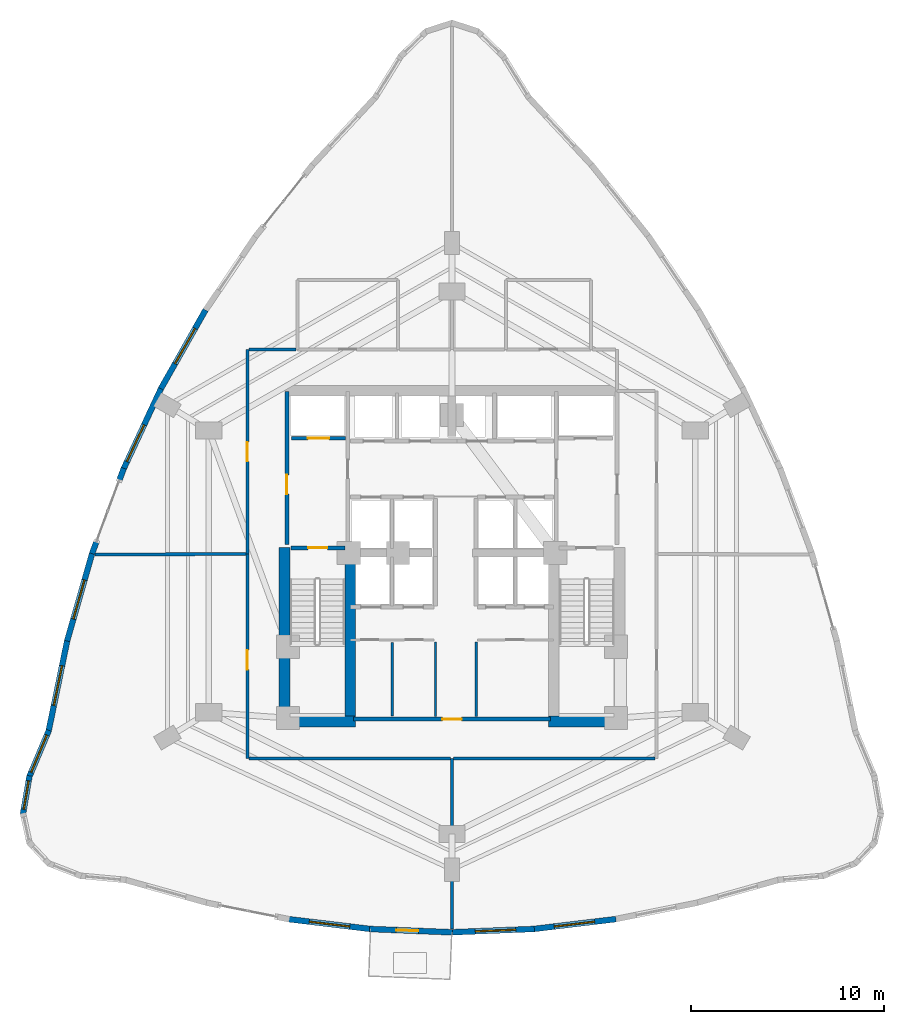
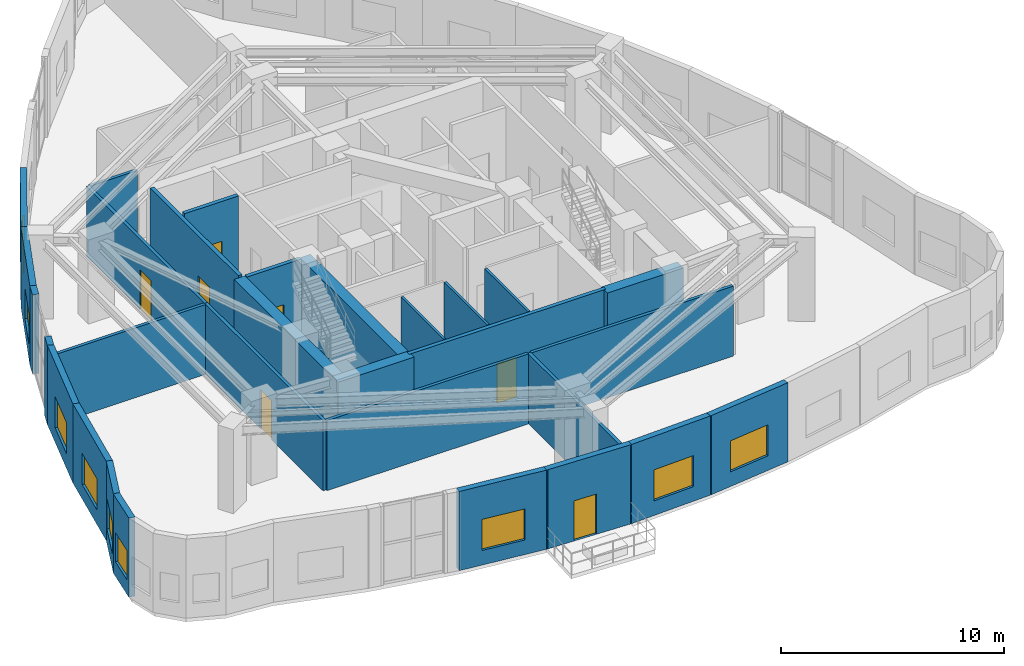
# One storey, part 13 of 17: 30 walls, 9 windows, 7 doors, 16 openings.
"""IFC4 building model written with IfcOpenShell, lengths in metres."""

from ifc_helpers import new_model, si_unit, direction, frame, frame_2d, origin, place, context, subcontext, project, spatial, rectangle, extrude, material, layer, layer_set, type_object, element, fill, save


model = new_model("IFC4")

# Units and contexts
model_context = context("Model", 3, precision=1e-05, world=origin(), true_north=direction((0.0, 1.0)))
body_context = subcontext(model_context, "Body", "Model", "MODEL_VIEW")
ifc_project = project(units=[si_unit("LENGTHUNIT", "METRE"), si_unit("AREAUNIT", "SQUARE_METRE"), si_unit("VOLUMEUNIT", "CUBIC_METRE"), si_unit("PLANEANGLEUNIT", "RADIAN"), si_unit("MASSUNIT", "GRAM", prefix="KILO")], contexts=[model_context])

# Site, building, storey
site_placement = place(None, origin())
site = spatial("IfcSite", under=ifc_project, at=site_placement, CompositionType="ELEMENT")
building_placement = place(site_placement, origin())
building = spatial("IfcBuilding", under=site, at=building_placement, Name="Miruveldt Soraemaru", CompositionType="ELEMENT")
storey_placement = place(building_placement, frame((0.0, 0.0, 95.800048828125)))
storey = spatial("IfcBuildingStorey", under=building, at=storey_placement, Name="L26", CompositionType="ELEMENT", Elevation=95.800048828125)

# Walls
ifc_material_1 = material(Name="Concrete C70/85 (70 MPa)", Category="concrete")
ifc_layer_1 = layer(ifc_material_1, 0.550048828125, Name="Concrete C70/85 (70 MPa)", Category="concrete")
ifc_layer_set_1 = layer_set([ifc_layer_1], Name="Concrete C70/85 (70 MPa)")
wall_type_1 = type_object("IfcWallType", Name="WALL-CW-550", PredefinedType="SHEAR", material=ifc_layer_set_1)
for number, where, z_axis, x_axis, name in (
    (1, (35.050048828125, 35.324951171875, 0.0), (0.0, 0.0, 1.0), (1.0, 0.0, 0.0), "L26 Central Core Shear Wall S1"),
    (2, (49.0, 35.324951171875, 0.0), (0.0, 0.0, 1.0), (1.0, 0.0, 0.0), "L26 Central Core Shear Wall S2"),
):
    element("IfcWall", number, at=place(storey_placement, frame(where, z_axis=z_axis, x_axis=x_axis)), inside=storey, type_object=wall_type_1, Name=name, PredefinedType="SHEAR", context=body_context, shape_type="SweptSolid", body=[
        extrude(rectangle(XDim=3.949951171875, YDim=0.550048828125, at=frame_2d((1.97509765625, 0.0))), origin(), (0.0, 0.0, 1.0), 4.3349609375),
    ])
wall_1_placement = place(storey_placement, frame((35.324951171875, 35.050048828125, 0.0), z_axis=(0.0, 0.0, 1.0), x_axis=(0.0, 1.0, 0.0)))
element("IfcWall", 3, at=wall_1_placement, inside=storey, type_object=wall_type_1, Name="L26 Central Core Shear Wall W1", PredefinedType="SHEAR", context=body_context, shape_type="SweptSolid", body=[
    extrude(rectangle(XDim=9.300048828125, YDim=0.550048828125, at=frame_2d((4.64990234375, 0.0))), origin(), (0.0, 0.0, 1.0), 4.3349609375),
])
wall_2_placement = place(storey_placement, frame((38.72509765625, 35.39990234375, 0.0), z_axis=(0.0, 0.0, 1.0), x_axis=(0.0, 1.0, 0.0)))
element("IfcWall", 4, at=wall_2_placement, inside=storey, type_object=wall_type_1, Name="L26 Central Core Shear Wall SW-INT", PredefinedType="SHEAR", context=body_context, shape_type="SweptSolid", body=[
    extrude(rectangle(XDim=8.9501953125, YDim=0.550048828125, at=frame_2d((4.47509765625, 0.0))), origin(), (0.0, 0.0, 1.0), 4.3349609375),
])

# Wall, opening, window
ifc_material_2 = material(Name="Precast concrete C45/55 (45 MPa)", Category="concrete")
ifc_layer_2 = layer(ifc_material_2, 0.300048828125, Name="Precast concrete C45/55 (45 MPa)", Category="concrete")
ifc_layer_set_2 = layer_set([ifc_layer_2], Name="Precast concrete C45/55 (45 MPa)")
wall_type_2 = type_object("IfcWallType", Name="WALL-EXT-PC300", PredefinedType="SOLIDWALL", material=ifc_layer_set_2)
wall_3_placement = place(storey_placement, frame((31.23291015625, 56.6435546875, 0.0), z_axis=(0.0, 0.0, 1.0), x_axis=(-0.493405379401, -0.869799477798, 0.0)))
wall_3 = element("IfcWall", 5, at=wall_3_placement, inside=storey, type_object=wall_type_2, Name="L26 Precast Concrete Facade Wall 10", PredefinedType="SOLIDWALL", context=body_context, shape_type="SweptSolid", body=[
    extrude(rectangle(XDim=4.688232421875, YDim=0.300048828125, at=frame_2d((2.34423828125, 0.0))), origin(), (0.0, 0.0, 1.0), 4.3349609375),
])
opening_1_placement = place(wall_3_placement, frame((1.09912109375, 0.0, 0.800048828125)))
opening_1 = element("IfcOpeningElement", 6, at=opening_1_placement, cuts=wall_3, Name="Opening WN-1", PredefinedType="OPENING", context=body_context, shape_type="SweptSolid", body=[
    extrude(rectangle(XDim=2.10009765625, YDim=1.699951171875, at=frame_2d((1.050048828125, 0.85009765625))), frame((0.0, 0.16015625, 0.0), z_axis=(0.0, -1.0, 0.0), x_axis=(1.0, 0.0, 0.0)), (0.0, 0.0, 1.0), 0.320068359375),
])
ifc_material_3 = material(Name="Triple low-e insulated glazing", Category="glass")
window_type_1 = type_object("IfcWindowType", Name="WIN-PUNCH-2100x1700", PartitioningType="SINGLE_PANEL", PredefinedType="WINDOW", material=ifc_material_3)
window_1_placement = place(opening_1_placement, origin())
window_1 = element("IfcWindow", 7, at=window_1_placement, inside=storey, type_object=window_type_1, Name="L26 Punched Triple-Glazed Window 10.1", OverallHeight=1.699951171875, OverallWidth=2.10009765625, PartitioningType="SINGLE_PANEL", PredefinedType="WINDOW", context=body_context, shape_type="SweptSolid", body=[
    extrude(rectangle(XDim=2.10009765625, YDim=1.699951171875, at=frame_2d((1.050048828125, 0.85009765625))), frame((0.0, 0.030029296875, 0.0), z_axis=(0.0, -1.0, 0.0), x_axis=(1.0, 0.0, 0.0)), (0.0, 0.0, 1.0), 0.06005859375),
])
fill(opening_1, window_1)

wall_4_placement = place(storey_placement, frame((28.951904296875, 52.627685546875, 0.0), z_axis=(0.0, 0.0, 1.0), x_axis=(-0.422360867557, -0.906427767423, 0.0)))
wall_4 = element("IfcWall", 8, at=wall_4_placement, inside=storey, type_object=wall_type_2, Name="L26 Precast Concrete Facade Wall 11", PredefinedType="SOLIDWALL", context=body_context, shape_type="SweptSolid", body=[
    extrude(rectangle(XDim=4.6884765625, YDim=0.300048828125, at=frame_2d((2.34423828125, 0.0))), origin(), (0.0, 0.0, 1.0), 4.3349609375),
])
opening_2_placement = place(wall_4_placement, frame((2.132080078125, 0.0, 0.800048828125)))
opening_2 = element("IfcOpeningElement", 9, at=opening_2_placement, cuts=wall_4, Name="Opening WN-1", PredefinedType="OPENING", context=body_context, shape_type="SweptSolid", body=[
    extrude(rectangle(XDim=2.10009765625, YDim=1.699951171875, at=frame_2d((1.050048828125, 0.85009765625))), frame((0.0, 0.16015625, 0.0), z_axis=(0.0, -1.0, 0.0), x_axis=(1.0, 0.0, 0.0)), (0.0, 0.0, 1.0), 0.320068359375),
])
window_2_placement = place(opening_2_placement, origin())
window_2 = element("IfcWindow", 10, at=window_2_placement, inside=storey, type_object=window_type_1, Name="L26 Punched Triple-Glazed Window 11.1", OverallHeight=1.699951171875, OverallWidth=2.10009765625, PartitioningType="SINGLE_PANEL", PredefinedType="WINDOW", context=body_context, shape_type="SweptSolid", body=[
    extrude(rectangle(XDim=2.10009765625, YDim=1.699951171875, at=frame_2d((1.050048828125, 0.85009765625))), frame((0.0, 0.030029296875, 0.0), z_axis=(0.0, -1.0, 0.0), x_axis=(1.0, 0.0, 0.0)), (0.0, 0.0, 1.0), 0.06005859375),
])
fill(opening_2, window_2)

# Walls
wall_5_placement = place(storey_placement, frame((26.998779296875, 48.4423828125, 0.0), z_axis=(0.0, 0.0, 1.0), x_axis=(-0.349073246867, -0.937095442483, 0.0)))
element("IfcWall", 11, at=wall_5_placement, inside=storey, type_object=wall_type_2, Name="L26 Precast Pier Left 12", PredefinedType="SOLIDWALL", context=body_context, shape_type="SweptSolid", body=[
    extrude(rectangle(XDim=0.705078125, YDim=0.300048828125, at=frame_2d((0.3525390625, 0.0))), origin(), (0.0, 0.0, 1.0), 4.3349609375),
])
wall_6_placement = place(storey_placement, frame((25.59814453125, 44.681884765625, 0.0), z_axis=(0.0, 0.0, 1.0), x_axis=(-0.348769086645, -0.937208687647, 0.0)))
element("IfcWall", 12, at=wall_6_placement, inside=storey, type_object=wall_type_2, Name="L26 Precast Pier Right 12", PredefinedType="SOLIDWALL", context=body_context, shape_type="SweptSolid", body=[
    extrude(rectangle(XDim=0.704833984375, YDim=0.300048828125, at=frame_2d((0.3525390625, 0.0))), origin(), (0.0, 0.0, 1.0), 4.3349609375),
])

# Wall, opening, window
wall_7_placement = place(storey_placement, frame((25.3740234375, 44.087890625, 0.0), z_axis=(0.0, 0.0, 1.0), x_axis=(-0.274943901784, -0.961460270043, 0.0)))
wall_7 = element("IfcWall", 13, at=wall_7_placement, inside=storey, type_object=wall_type_2, Name="L26 Precast Concrete Facade Wall 13", PredefinedType="SOLIDWALL", context=body_context, shape_type="SweptSolid", body=[
    extrude(rectangle(XDim=4.7763671875, YDim=0.300048828125, at=frame_2d((2.38818359375, 0.0))), origin(), (0.0, 0.0, 1.0), 4.3349609375),
])
opening_3_placement = place(wall_7_placement, frame((1.491943359375, 0.0, 0.800048828125)))
opening_3 = element("IfcOpeningElement", 14, at=opening_3_placement, cuts=wall_7, Name="Opening WN-1", PredefinedType="OPENING", context=body_context, shape_type="SweptSolid", body=[
    extrude(rectangle(XDim=2.10009765625, YDim=1.699951171875, at=frame_2d((1.050048828125, 0.85009765625))), frame((0.0, 0.16015625, 0.0), z_axis=(0.0, -1.0, 0.0), x_axis=(1.0, 0.0, 0.0)), (0.0, 0.0, 1.0), 0.320068359375),
])
window_3_placement = place(opening_3_placement, origin())
window_3 = element("IfcWindow", 15, at=window_3_placement, inside=storey, type_object=window_type_1, Name="L26 Punched Triple-Glazed Window 13.1", OverallHeight=1.699951171875, OverallWidth=2.10009765625, PartitioningType="SINGLE_PANEL", PredefinedType="WINDOW", context=body_context, shape_type="SweptSolid", body=[
    extrude(rectangle(XDim=2.10009765625, YDim=1.699951171875, at=frame_2d((1.050048828125, 0.85009765625))), frame((0.0, 0.030029296875, 0.0), z_axis=(0.0, -1.0, 0.0), x_axis=(1.0, 0.0, 0.0)), (0.0, 0.0, 1.0), 0.06005859375),
])
fill(opening_3, window_3)

wall_8_placement = place(storey_placement, frame((24.077392578125, 39.563720703125, 0.0), z_axis=(0.0, 0.0, 1.0), x_axis=(-0.201549496083, -0.979478330862, 0.0)))
wall_8 = element("IfcWall", 16, at=wall_8_placement, inside=storey, type_object=wall_type_2, Name="L26 Precast Concrete Facade Wall 14", PredefinedType="SOLIDWALL", context=body_context, shape_type="SweptSolid", body=[
    extrude(rectangle(XDim=4.8623046875, YDim=0.300048828125, at=frame_2d((2.43115234375, 0.0))), origin(), (0.0, 0.0, 1.0), 4.3349609375),
])
opening_4_placement = place(wall_8_placement, frame((1.381103515625, 0.0, 0.800048828125)))
opening_4 = element("IfcOpeningElement", 17, at=opening_4_placement, cuts=wall_8, Name="Opening WN-1", PredefinedType="OPENING", context=body_context, shape_type="SweptSolid", body=[
    extrude(rectangle(XDim=2.10009765625, YDim=1.699951171875, at=frame_2d((1.050048828125, 0.85009765625))), frame((0.0, 0.16015625, 0.0), z_axis=(0.0, -1.0, 0.0), x_axis=(1.0, 0.0, 0.0)), (0.0, 0.0, 1.0), 0.320068359375),
])
window_4_placement = place(opening_4_placement, origin())
window_4 = element("IfcWindow", 18, at=window_4_placement, inside=storey, type_object=window_type_1, Name="L26 Punched Triple-Glazed Window 14.1", OverallHeight=1.699951171875, OverallWidth=2.10009765625, PartitioningType="SINGLE_PANEL", PredefinedType="WINDOW", context=body_context, shape_type="SweptSolid", body=[
    extrude(rectangle(XDim=2.10009765625, YDim=1.699951171875, at=frame_2d((1.050048828125, 0.85009765625))), frame((0.0, 0.030029296875, 0.0), z_axis=(0.0, -1.0, 0.0), x_axis=(1.0, 0.0, 0.0)), (0.0, 0.0, 1.0), 0.06005859375),
])
fill(opening_4, window_4)

wall_9_placement = place(storey_placement, frame((23.117919921875, 34.867919921875, 0.0), z_axis=(0.0, 0.0, 1.0), x_axis=(-0.388592170804, -0.921409857116, 0.0)))
wall_9 = element("IfcWall", 19, at=wall_9_placement, inside=storey, type_object=wall_type_2, Name="L26 Precast Concrete Facade Wall 15", PredefinedType="SOLIDWALL", context=body_context, shape_type="SweptSolid", body=[
    extrude(rectangle(XDim=2.630615234375, YDim=0.300048828125, at=frame_2d((1.3154296875, 0.0))), origin(), (0.0, 0.0, 1.0), 4.3349609375),
])
opening_5_placement = place(wall_9_placement, frame((0.264892578125, 0.0, 0.800048828125)))
opening_5 = element("IfcOpeningElement", 20, at=opening_5_placement, cuts=wall_9, Name="Opening WN-1", PredefinedType="OPENING", context=body_context, shape_type="SweptSolid", body=[
    extrude(rectangle(XDim=2.10009765625, YDim=1.699951171875, at=frame_2d((1.050048828125, 0.85009765625))), frame((0.0, 0.16015625, 0.0), z_axis=(0.0, -1.0, 0.0), x_axis=(1.0, 0.0, 0.0)), (0.0, 0.0, 1.0), 0.320068359375),
])
window_5_placement = place(opening_5_placement, origin())
window_5 = element("IfcWindow", 21, at=window_5_placement, inside=storey, type_object=window_type_1, Name="L26 Punched Triple-Glazed Window 15.1", OverallHeight=1.699951171875, OverallWidth=2.10009765625, PartitioningType="SINGLE_PANEL", PredefinedType="WINDOW", context=body_context, shape_type="SweptSolid", body=[
    extrude(rectangle(XDim=2.10009765625, YDim=1.699951171875, at=frame_2d((1.050048828125, 0.85009765625))), frame((0.0, 0.030029296875, 0.0), z_axis=(0.0, -1.0, 0.0), x_axis=(1.0, 0.0, 0.0)), (0.0, 0.0, 1.0), 0.06005859375),
])
fill(opening_5, window_5)

wall_10_placement = place(storey_placement, frame((22.115234375, 32.510986328125, 0.0), z_axis=(0.0, 0.0, 1.0), x_axis=(-0.169334592739, -0.985558621139, 0.0)))
wall_10 = element("IfcWall", 22, at=wall_10_placement, inside=storey, type_object=wall_type_2, Name="L26 Precast Concrete Facade Wall 16", PredefinedType="SOLIDWALL", context=body_context, shape_type="SweptSolid", body=[
    extrude(rectangle(XDim=2.028564453125, YDim=0.300048828125, at=frame_2d((1.01416015625, 0.0))), origin(), (0.0, 0.0, 1.0), 4.3349609375),
])
opening_6_placement = place(wall_10_placement, frame((0.263916015625, 0.0, 0.800048828125)))
opening_6 = element("IfcOpeningElement", 23, at=opening_6_placement, cuts=wall_10, Name="Opening WN-3", PredefinedType="OPENING", context=body_context, shape_type="SweptSolid", body=[
    extrude(rectangle(XDim=1.5, YDim=1.60009765625, at=frame_2d((0.75, 0.800048828125))), frame((0.0, 0.16015625, 0.0), z_axis=(0.0, -1.0, 0.0), x_axis=(1.0, 0.0, 0.0)), (0.0, 0.0, 1.0), 0.320068359375),
])
window_type_2 = type_object("IfcWindowType", Name="WIN-PUNCH-1500x1600", PartitioningType="SINGLE_PANEL", PredefinedType="WINDOW", material=ifc_material_3)
window_6_placement = place(opening_6_placement, origin())
window_6 = element("IfcWindow", 24, at=window_6_placement, inside=storey, type_object=window_type_2, Name="L26 Punched Triple-Glazed Window 16.1", OverallHeight=1.60009765625, OverallWidth=1.5, PartitioningType="SINGLE_PANEL", PredefinedType="WINDOW", context=body_context, shape_type="SweptSolid", body=[
    extrude(rectangle(XDim=1.5, YDim=1.60009765625, at=frame_2d((0.75, 0.800048828125))), frame((0.0, 0.030029296875, 0.0), z_axis=(0.0, -1.0, 0.0), x_axis=(1.0, 0.0, 0.0)), (0.0, 0.0, 1.0), 0.06005859375),
])
fill(opening_6, window_6)

wall_11_placement = place(storey_placement, frame((35.507568359375, 25.0888671875, 0.0), z_axis=(0.0, 0.0, 1.0), x_axis=(0.992874970421, -0.119160786806, 0.0)))
wall_11 = element("IfcWall", 25, at=wall_11_placement, inside=storey, type_object=wall_type_2, Name="L26 Precast Concrete Facade Wall 23", PredefinedType="SOLIDWALL", context=body_context, shape_type="SweptSolid", body=[
    extrude(rectangle(XDim=4.3291015625, YDim=0.300048828125, at=frame_2d((2.16455078125, 0.0))), origin(), (0.0, 0.0, 1.0), 4.3349609375),
])
opening_7_placement = place(wall_11_placement, frame((1.114013671875, 0.0, 0.800048828125)))
opening_7 = element("IfcOpeningElement", 26, at=opening_7_placement, cuts=wall_11, Name="Opening WN-1", PredefinedType="OPENING", context=body_context, shape_type="SweptSolid", body=[
    extrude(rectangle(XDim=2.10009765625, YDim=1.699951171875, at=frame_2d((1.050048828125, 0.85009765625))), frame((0.0, 0.16015625, 0.0), z_axis=(0.0, -1.0, 0.0), x_axis=(1.0, 0.0, 0.0)), (0.0, 0.0, 1.0), 0.320068359375),
])
window_7_placement = place(opening_7_placement, origin())
window_7 = element("IfcWindow", 27, at=window_7_placement, inside=storey, type_object=window_type_1, Name="L26 Punched Triple-Glazed Window 23.1", OverallHeight=1.699951171875, OverallWidth=2.10009765625, PartitioningType="SINGLE_PANEL", PredefinedType="WINDOW", context=body_context, shape_type="SweptSolid", body=[
    extrude(rectangle(XDim=2.10009765625, YDim=1.699951171875, at=frame_2d((1.050048828125, 0.85009765625))), frame((0.0, 0.030029296875, 0.0), z_axis=(0.0, -1.0, 0.0), x_axis=(1.0, 0.0, 0.0)), (0.0, 0.0, 1.0), 0.06005859375),
])
fill(opening_7, window_7)

# Wall, opening, door
wall_12_placement = place(storey_placement, frame((39.736083984375, 24.57861328125, 0.0), z_axis=(0.0, 0.0, 1.0), x_axis=(0.999201683759, -0.039949908301, 0.0)))
wall_12 = element("IfcWall", 28, at=wall_12_placement, inside=storey, type_object=wall_type_2, Name="L26 Precast Concrete Facade Wall 24", PredefinedType="SOLIDWALL", context=body_context, shape_type="SweptSolid", body=[
    extrude(rectangle(XDim=4.30224609375, YDim=0.300048828125, at=frame_2d((2.151123046875, 0.0))), origin(), (0.0, 0.0, 1.0), 4.3349609375),
])
opening_8_placement = place(wall_12_placement, frame((1.3759765625, 0.0, 0.0)))
opening_8 = element("IfcOpeningElement", 29, at=opening_8_placement, cuts=wall_12, Name="Opening TD-2", PredefinedType="OPENING", context=body_context, shape_type="SweptSolid", body=[
    extrude(rectangle(XDim=1.14990234375, YDim=2.199951171875, at=frame_2d((0.574951171875, 1.10009765625))), frame((0.0, 0.16015625, 0.0), z_axis=(0.0, -1.0, 0.0), x_axis=(1.0, 0.0, 0.0)), (0.0, 0.0, 1.0), 0.320068359375),
])
ifc_material_4 = material(Name="Anodised aluminium EN AW-6063 T6", Category="aluminium")
door_type_1 = type_object("IfcDoorType", Name="DOOR-SG-1150", OperationType="NOTDEFINED", PredefinedType="DOOR", material=ifc_material_4)
door_1_placement = place(opening_8_placement, frame((1.14990234375, 0.0, 0.0), z_axis=(0.0, 0.0, 1.0), x_axis=(-1.0, 0.0, 0.0)))
door_1 = element("IfcDoor", 30, at=door_1_placement, inside=storey, type_object=door_type_1, Name="L26 Terrace Access Glazed Door 24", OperationType="SINGLE_SWING_LEFT", OverallHeight=2.199951171875, OverallWidth=1.14990234375, PredefinedType="DOOR", context=body_context, shape_type="SweptSolid", body=[
    extrude(rectangle(XDim=1.14990234375, YDim=2.199951171875, at=frame_2d((0.574951171875, 1.10009765625))), frame((0.0, 0.02490234375, 0.0), z_axis=(0.0, -1.0, 0.0), x_axis=(1.0, 0.0, 0.0)), (0.0, 0.0, 1.0), 0.050048828125),
])
fill(opening_8, door_1)

# Wall, opening, window
wall_13_placement = place(storey_placement, frame((43.965087890625, 24.40673828125, 0.0), z_axis=(0.0, 0.0, 1.0), x_axis=(0.999201683759, 0.039949908301, 0.0)))
wall_13 = element("IfcWall", 31, at=wall_13_placement, inside=storey, type_object=wall_type_2, Name="L26 Precast Concrete Facade Wall 25", PredefinedType="SOLIDWALL", context=body_context, shape_type="SweptSolid", body=[
    extrude(rectangle(XDim=4.30224609375, YDim=0.300048828125, at=frame_2d((2.151123046875, 0.0))), origin(), (0.0, 0.0, 1.0), 4.3349609375),
])
opening_9_placement = place(wall_13_placement, frame((1.241943359375, 0.0, 0.800048828125)))
opening_9 = element("IfcOpeningElement", 32, at=opening_9_placement, cuts=wall_13, Name="Opening WN-1", PredefinedType="OPENING", context=body_context, shape_type="SweptSolid", body=[
    extrude(rectangle(XDim=2.10009765625, YDim=1.699951171875, at=frame_2d((1.050048828125, 0.85009765625))), frame((0.0, 0.16015625, 0.0), z_axis=(0.0, -1.0, 0.0), x_axis=(1.0, 0.0, 0.0)), (0.0, 0.0, 1.0), 0.320068359375),
])
window_8_placement = place(opening_9_placement, origin())
window_8 = element("IfcWindow", 33, at=window_8_placement, inside=storey, type_object=window_type_1, Name="L26 Punched Triple-Glazed Window 25.1", OverallHeight=1.699951171875, OverallWidth=2.10009765625, PartitioningType="SINGLE_PANEL", PredefinedType="WINDOW", context=body_context, shape_type="SweptSolid", body=[
    extrude(rectangle(XDim=2.10009765625, YDim=1.699951171875, at=frame_2d((1.050048828125, 0.85009765625))), frame((0.0, 0.030029296875, 0.0), z_axis=(0.0, -1.0, 0.0), x_axis=(1.0, 0.0, 0.0)), (0.0, 0.0, 1.0), 0.06005859375),
])
fill(opening_9, window_8)

wall_14_placement = place(storey_placement, frame((48.194091796875, 24.572998046875, 0.0), z_axis=(0.0, 0.0, 1.0), x_axis=(0.992874970421, 0.119160786806, 0.0)))
wall_14 = element("IfcWall", 34, at=wall_14_placement, inside=storey, type_object=wall_type_2, Name="L26 Precast Concrete Facade Wall 26", PredefinedType="SOLIDWALL", context=body_context, shape_type="SweptSolid", body=[
    extrude(rectangle(XDim=4.3291015625, YDim=0.300048828125, at=frame_2d((2.16455078125, 0.0))), origin(), (0.0, 0.0, 1.0), 4.3349609375),
])
opening_10_placement = place(wall_14_placement, frame((1.114013671875, 0.0, 0.800048828125)))
opening_10 = element("IfcOpeningElement", 35, at=opening_10_placement, cuts=wall_14, Name="Opening WN-1", PredefinedType="OPENING", context=body_context, shape_type="SweptSolid", body=[
    extrude(rectangle(XDim=2.10009765625, YDim=1.699951171875, at=frame_2d((1.050048828125, 0.85009765625))), frame((0.0, 0.16015625, 0.0), z_axis=(0.0, -1.0, 0.0), x_axis=(1.0, 0.0, 0.0)), (0.0, 0.0, 1.0), 0.320068359375),
])
window_9_placement = place(opening_10_placement, origin())
window_9 = element("IfcWindow", 36, at=window_9_placement, inside=storey, type_object=window_type_1, Name="L26 Punched Triple-Glazed Window 26.1", OverallHeight=1.699951171875, OverallWidth=2.10009765625, PartitioningType="SINGLE_PANEL", PredefinedType="WINDOW", context=body_context, shape_type="SweptSolid", body=[
    extrude(rectangle(XDim=2.10009765625, YDim=1.699951171875, at=frame_2d((1.050048828125, 0.85009765625))), frame((0.0, 0.030029296875, 0.0), z_axis=(0.0, -1.0, 0.0), x_axis=(1.0, 0.0, 0.0)), (0.0, 0.0, 1.0), 0.06005859375),
])
fill(opening_10, window_9)

# Walls
ifc_material_5 = material(Name="Gypsum plasterboard lining", Category="gypsum")
ifc_layer_3 = layer(ifc_material_5, 0.1201171875, Name="Gypsum plasterboard lining", Category="gypsum")
ifc_layer_set_3 = layer_set([ifc_layer_3], Name="Gypsum plasterboard lining")
wall_type_3 = type_object("IfcWallType", Name="WALL-INT-P120", PredefinedType="PARTITIONING", material=ifc_layer_set_3)
for number, where, z_axis, x_axis, name in (
    (37, (43.14990234375, 35.580078125, 0.0), (0.0, 0.0, 1.0), (0.0, 1.0, 0.0), "L26 Core Compartment Wall SP-WS"),
    (38, (45.25, 35.580078125, 0.0), (0.0, 0.0, 1.0), (0.0, 1.0, 0.0), "L26 Core Compartment Wall SP-ES"),
):
    element("IfcWall", number, at=place(storey_placement, frame(where, z_axis=z_axis, x_axis=x_axis)), inside=storey, type_object=wall_type_3, Name=name, PredefinedType="PARTITIONING", context=body_context, shape_type="SweptSolid", body=[
        extrude(rectangle(XDim=3.869873046875, YDim=0.1201171875, at=frame_2d((1.93505859375, 0.0))), origin(), (0.0, 0.0, 1.0), 4.3349609375),
    ])
wall_15_placement = place(storey_placement, frame((40.89990234375, 35.60009765625, 0.0), z_axis=(0.0, 0.0, 1.0), x_axis=(0.0, 1.0, 0.0)))
element("IfcWall", 39, at=wall_15_placement, inside=storey, type_object=wall_type_3, Name="L26 Core Compartment Wall CW1-V", PredefinedType="PARTITIONING", context=body_context, shape_type="SweptSolid", body=[
    extrude(rectangle(XDim=3.81982421875, YDim=0.1201171875, at=frame_2d((1.909912109375, 0.0))), origin(), (0.0, 0.0, 1.0), 4.3349609375),
])

# Wall, opening, door
ifc_material_6 = material(Name="Concrete C40/50 (40 MPa)", Category="concrete")
ifc_layer_4 = layer(ifc_material_6, 0.159912109375, Name="Concrete C40/50 (40 MPa)", Category="concrete")
ifc_layer_set_4 = layer_set([ifc_layer_4], Name="Concrete C40/50 (40 MPa)")
wall_type_4 = type_object("IfcWallType", Name="WALL-INT-RC160", PredefinedType="SOLIDWALL", material=ifc_layer_set_4)
wall_16_placement = place(storey_placement, frame((33.39990234375, 44.0, 0.0), z_axis=(0.0, 0.0, 1.0), x_axis=(0.0, -1.0, 0.0)))
wall_16 = element("IfcWall", 40, at=wall_16_placement, inside=storey, type_object=wall_type_4, Name="L26 Partition Wall 3", PredefinedType="SOLIDWALL", context=body_context, shape_type="SweptSolid", body=[
    extrude(rectangle(XDim=10.60009765625, YDim=0.159912109375, at=frame_2d((5.300048828125, 0.0))), origin(), (0.0, 0.0, 1.0), 3.8349609375),
])
opening_11_placement = place(wall_16_placement, frame((4.97998046875, 0.0, 0.0)))
opening_11 = element("IfcOpeningElement", 41, at=opening_11_placement, cuts=wall_16, Name="Opening FD2A", PredefinedType="OPENING", context=body_context, shape_type="SweptSolid", body=[
    extrude(rectangle(XDim=1.0, YDim=2.14990234375, at=frame_2d((0.5, 1.074951171875))), frame((0.0, 0.08984375, 0.0), z_axis=(0.0, -1.0, 0.0), x_axis=(1.0, 0.0, 0.0)), (0.0, 0.0, 1.0), 0.179931640625),
])
door_type_2 = type_object("IfcDoorType", Name="DOOR-FD2-1000", OperationType="NOTDEFINED", PredefinedType="DOOR", material=ifc_material_4)
door_2_placement = place(opening_11_placement, origin())
door_2 = element("IfcDoor", 42, at=door_2_placement, inside=storey, type_object=door_type_2, Name="L26 Mid-Zone Sky Lounge Door", OperationType="SINGLE_SWING_RIGHT", OverallHeight=2.14990234375, OverallWidth=1.0, PredefinedType="DOOR", context=body_context, shape_type="SweptSolid", body=[
    extrude(rectangle(XDim=1.0, YDim=2.14990234375, at=frame_2d((0.5, 1.074951171875))), frame((0.0, 0.02490234375, 0.0), z_axis=(0.0, -1.0, 0.0), x_axis=(1.0, 0.0, 0.0)), (0.0, 0.0, 1.0), 0.050048828125),
])
fill(opening_11, door_2)

wall_17_placement = place(storey_placement, frame((33.39990234375, 54.60009765625, 0.0), z_axis=(0.0, 0.0, 1.0), x_axis=(0.0, -1.0, 0.0)))
wall_17 = element("IfcWall", 43, at=wall_17_placement, inside=storey, type_object=wall_type_4, Name="L26 Partition Wall 9", PredefinedType="SOLIDWALL", context=body_context, shape_type="SweptSolid", body=[
    extrude(rectangle(XDim=10.60009765625, YDim=0.159912109375, at=frame_2d((5.300048828125, 0.0))), origin(), (0.0, 0.0, 1.0), 3.822998046875),
])
opening_12_placement = place(wall_17_placement, frame((4.800048828125, 0.0, 0.0)))
opening_12 = element("IfcOpeningElement", 44, at=opening_12_placement, cuts=wall_17, Name="Opening FD2A", PredefinedType="OPENING", context=body_context, shape_type="SweptSolid", body=[
    extrude(rectangle(XDim=1.0, YDim=2.14990234375, at=frame_2d((0.5, 1.074951171875))), frame((0.0, 0.08984375, 0.0), z_axis=(0.0, -1.0, 0.0), x_axis=(1.0, 0.0, 0.0)), (0.0, 0.0, 1.0), 0.179931640625),
])
door_3_placement = place(opening_12_placement, origin())
door_3 = element("IfcDoor", 45, at=door_3_placement, inside=storey, type_object=door_type_2, Name="L26 Resident Business Meeting Room Door", OperationType="SINGLE_SWING_RIGHT", OverallHeight=2.14990234375, OverallWidth=1.0, PredefinedType="DOOR", context=body_context, shape_type="SweptSolid", body=[
    extrude(rectangle(XDim=1.0, YDim=2.14990234375, at=frame_2d((0.5, 1.074951171875))), frame((0.0, 0.02490234375, 0.0), z_axis=(0.0, -1.0, 0.0), x_axis=(1.0, 0.0, 0.0)), (0.0, 0.0, 1.0), 0.050048828125),
])
fill(opening_12, door_3)

# Walls
for number, where, z_axis, x_axis, name in (
    (46, (33.47998046875, 33.39990234375, 0.0), (0.0, 0.0, 1.0), (1.0, 0.0, 0.0), "L26 Partition Wall 4"),
    (47, (44.080078125, 33.39990234375, 0.0), (0.0, 0.0, 1.0), (1.0, 0.0, 0.0), "L26 Partition Wall 5"),
):
    element("IfcWall", number, at=place(storey_placement, frame(where, z_axis=z_axis, x_axis=x_axis)), inside=storey, type_object=wall_type_4, Name=name, PredefinedType="SOLIDWALL", context=body_context, shape_type="SweptSolid", body=[
        extrude(rectangle(XDim=10.43994140625, YDim=0.159912109375, at=frame_2d((5.219970703125, 0.0))), origin(), (0.0, 0.0, 1.0), 3.8349609375),
    ])
wall_18_placement = place(storey_placement, frame((44.0, 24.572998046875, 0.0), z_axis=(0.0, 0.0, 1.0), x_axis=(0.0, 1.0, 0.0)))
element("IfcWall", 48, at=wall_18_placement, inside=storey, type_object=wall_type_4, Name="L26 Partition Wall 21", PredefinedType="SOLIDWALL", context=body_context, shape_type="SweptSolid", body=[
    extrude(rectangle(XDim=8.826904296875, YDim=0.159912109375, at=frame_2d((4.41357421875, 0.0))), origin(), (0.0, 0.0, 1.0), 3.822998046875),
])
wall_19_placement = place(storey_placement, frame((33.320068359375, 44.0, 0.0), z_axis=(0.0, 0.0, 1.0), x_axis=(-0.999995678555, -0.002939875955, 0.0)))
element("IfcWall", 49, at=wall_19_placement, inside=storey, type_object=wall_type_4, Name="L26 Partition Wall 22", PredefinedType="SOLIDWALL", context=body_context, shape_type="SweptSolid", body=[
    extrude(rectangle(XDim=7.80615234375, YDim=0.159912109375, at=frame_2d((3.903076171875, 0.0))), origin(), (0.0, 0.0, 1.0), 3.822998046875),
])
wall_20_placement = place(storey_placement, frame((35.919921875, 54.60009765625, 0.0), z_axis=(0.0, 0.0, 1.0), x_axis=(-1.0, 0.0, 0.0)))
element("IfcWall", 50, at=wall_20_placement, inside=storey, type_object=wall_type_4, Name="L26 Partition Wall 8", PredefinedType="SOLIDWALL", context=body_context, shape_type="SweptSolid", body=[
    extrude(rectangle(XDim=2.43994140625, YDim=0.159912109375, at=frame_2d((1.219970703125, 0.0))), origin(), (0.0, 0.0, 1.0), 3.822998046875),
])

# Wall, opening, door
ifc_layer_5 = layer(ifc_material_6, 0.199951171875, Name="Concrete C40/50 (40 MPa)", Category="concrete")
ifc_layer_set_5 = layer_set([ifc_layer_5], Name="Concrete C40/50 (40 MPa)")
wall_type_5 = type_object("IfcWallType", Name="WALL-INT-RC200", PredefinedType="SOLIDWALL", material=ifc_layer_set_5)
wall_21_placement = place(storey_placement, frame((38.89990234375, 35.449951171875, 0.0), z_axis=(0.0, 0.0, 1.0), x_axis=(1.0, 0.0, 0.0)))
wall_21 = element("IfcWall", 51, at=wall_21_placement, inside=storey, type_object=wall_type_5, Name="L26 Core Compartment Wall CS-S", PredefinedType="SOLIDWALL", context=body_context, shape_type="SweptSolid", body=[
    extrude(rectangle(XDim=10.2001953125, YDim=0.199951171875, at=frame_2d((5.10009765625, 0.0))), origin(), (0.0, 0.0, 1.0), 4.3349609375),
])
opening_13_placement = place(wall_21_placement, frame((4.60009765625, 0.0, 0.0)))
opening_13 = element("IfcOpeningElement", 52, at=opening_13_placement, cuts=wall_21, Name="Opening FD1", PredefinedType="OPENING", context=body_context, shape_type="SweptSolid", body=[
    extrude(rectangle(XDim=1.0, YDim=2.14990234375, at=frame_2d((0.5, 1.074951171875))), frame((0.0, 0.10986328125, 0.0), z_axis=(0.0, -1.0, 0.0), x_axis=(1.0, 0.0, 0.0)), (0.0, 0.0, 1.0), 0.219970703125),
])
door_type_3 = type_object("IfcDoorType", Name="DOOR-FD1-1000", OperationType="NOTDEFINED", PredefinedType="DOOR", material=ifc_material_4)
door_4_placement = place(opening_13_placement, origin())
door_4 = element("IfcDoor", 53, at=door_4_placement, inside=storey, type_object=door_type_3, Name="L26 Core South Lobby Fire Door", OperationType="SINGLE_SWING_LEFT", OverallHeight=2.14990234375, OverallWidth=1.0, PredefinedType="DOOR", context=body_context, shape_type="SweptSolid", body=[
    extrude(rectangle(XDim=1.0, YDim=2.14990234375, at=frame_2d((0.5, 1.074951171875))), frame((0.0, 0.02490234375, 0.0), z_axis=(0.0, -1.0, 0.0), x_axis=(1.0, 0.0, 0.0)), (0.0, 0.0, 1.0), 0.050048828125),
])
fill(opening_13, door_4)

wall_22_placement = place(storey_placement, frame((35.449951171875, 44.5, 0.0), z_axis=(0.0, 0.0, 1.0), x_axis=(0.0, 1.0, 0.0)))
wall_22 = element("IfcWall", 54, at=wall_22_placement, inside=storey, type_object=wall_type_5, Name="L26 Core Compartment Wall FFW-OUT", PredefinedType="SOLIDWALL", context=body_context, shape_type="SweptSolid", body=[
    extrude(rectangle(XDim=7.919921875, YDim=0.199951171875, at=frame_2d((3.9599609375, 0.0))), origin(), (0.0, 0.0, 1.0), 4.3349609375),
])
opening_14_placement = place(wall_22_placement, frame((2.60009765625, 0.0, 0.0)))
opening_14 = element("IfcOpeningElement", 55, at=opening_14_placement, cuts=wall_22, Name="Opening FD1", PredefinedType="OPENING", context=body_context, shape_type="SweptSolid", body=[
    extrude(rectangle(XDim=1.0, YDim=2.14990234375, at=frame_2d((0.5, 1.074951171875))), frame((0.0, 0.10986328125, 0.0), z_axis=(0.0, -1.0, 0.0), x_axis=(1.0, 0.0, 0.0)), (0.0, 0.0, 1.0), 0.219970703125),
])
door_5_placement = place(opening_14_placement, origin())
door_5 = element("IfcDoor", 56, at=door_5_placement, inside=storey, type_object=door_type_3, Name="L26 West Firefighting Lobby Exit Door", OperationType="SINGLE_SWING_LEFT", OverallHeight=2.14990234375, OverallWidth=1.0, PredefinedType="DOOR", context=body_context, shape_type="SweptSolid", body=[
    extrude(rectangle(XDim=1.0, YDim=2.14990234375, at=frame_2d((0.5, 1.074951171875))), frame((0.0, 0.02490234375, 0.0), z_axis=(0.0, -1.0, 0.0), x_axis=(1.0, 0.0, 0.0)), (0.0, 0.0, 1.0), 0.050048828125),
])
fill(opening_14, door_5)

wall_23_placement = place(storey_placement, frame((35.64990234375, 44.320068359375, 0.0), z_axis=(0.0, 0.0, 1.0), x_axis=(1.0, 0.0, 0.0)))
wall_23 = element("IfcWall", 57, at=wall_23_placement, inside=storey, type_object=wall_type_5, Name="L26 Core Compartment Wall ST1-N", PredefinedType="SOLIDWALL", context=body_context, shape_type="SweptSolid", body=[
    extrude(rectangle(XDim=2.800048828125, YDim=0.199951171875, at=frame_2d((1.39990234375, 0.0))), origin(), (0.0, 0.0, 1.0), 4.3349609375),
])
opening_15_placement = place(wall_23_placement, frame((0.89990234375, 0.0, 0.0)))
opening_15 = element("IfcOpeningElement", 58, at=opening_15_placement, cuts=wall_23, Name="Opening FD1", PredefinedType="OPENING", context=body_context, shape_type="SweptSolid", body=[
    extrude(rectangle(XDim=1.0, YDim=2.14990234375, at=frame_2d((0.5, 1.074951171875))), frame((0.0, 0.10986328125, 0.0), z_axis=(0.0, -1.0, 0.0), x_axis=(1.0, 0.0, 0.0)), (0.0, 0.0, 1.0), 0.219970703125),
])
door_6_placement = place(opening_15_placement, frame((1.0, 0.0, 0.0), z_axis=(0.0, 0.0, 1.0), x_axis=(-1.0, 0.0, 0.0)))
door_6 = element("IfcDoor", 59, at=door_6_placement, inside=storey, type_object=door_type_3, Name="L26 Stair ST-1 Fire Door", OperationType="SINGLE_SWING_LEFT", OverallHeight=2.14990234375, OverallWidth=1.0, PredefinedType="DOOR", context=body_context, shape_type="SweptSolid", body=[
    extrude(rectangle(XDim=1.0, YDim=2.14990234375, at=frame_2d((0.5, 1.074951171875))), frame((0.0, 0.02490234375, 0.0), z_axis=(0.0, -1.0, 0.0), x_axis=(1.0, 0.0, 0.0)), (0.0, 0.0, 1.0), 0.050048828125),
])
fill(opening_15, door_6)

wall_24_placement = place(storey_placement, frame((35.679931640625, 50.0, 0.0), z_axis=(0.0, 0.0, 1.0), x_axis=(1.0, 0.0, 0.0)))
wall_24 = element("IfcWall", 60, at=wall_24_placement, inside=storey, type_object=wall_type_5, Name="L26 Core Compartment Wall FFL1-S", PredefinedType="SOLIDWALL", context=body_context, shape_type="SweptSolid", body=[
    extrude(rectangle(XDim=2.800048828125, YDim=0.199951171875, at=frame_2d((1.39990234375, 0.0))), origin(), (0.0, 0.0, 1.0), 4.3349609375),
])
opening_16_placement = place(wall_24_placement, frame((0.85009765625, 0.0, 0.0)))
opening_16 = element("IfcOpeningElement", 61, at=opening_16_placement, cuts=wall_24, Name="Opening LD2", PredefinedType="OPENING", context=body_context, shape_type="SweptSolid", body=[
    extrude(rectangle(XDim=1.10009765625, YDim=2.14990234375, at=frame_2d((0.550048828125, 1.074951171875))), frame((0.0, 0.10986328125, 0.0), z_axis=(0.0, -1.0, 0.0), x_axis=(1.0, 0.0, 0.0)), (0.0, 0.0, 1.0), 0.219970703125),
])
door_type_4 = type_object("IfcDoorType", Name="DOOR-LD2-1100", OperationType="SLIDING_TO_LEFT", PredefinedType="DOOR", material=ifc_material_4)
door_7_placement = place(opening_16_placement, origin())
door_7 = element("IfcDoor", 62, at=door_7_placement, inside=storey, type_object=door_type_4, Name="L26 FFL-1 Landing Door", OperationType="SLIDING_TO_LEFT", OverallHeight=2.14990234375, OverallWidth=1.10009765625, PredefinedType="DOOR", context=body_context, shape_type="SweptSolid", body=[
    extrude(rectangle(XDim=1.10009765625, YDim=2.14990234375, at=frame_2d((0.550048828125, 1.074951171875))), frame((0.0, 0.02490234375, 0.0), z_axis=(0.0, -1.0, 0.0), x_axis=(1.0, 0.0, 0.0)), (0.0, 0.0, 1.0), 0.050048828125),
])
fill(opening_16, door_7)

save(model, "model.ifc")
